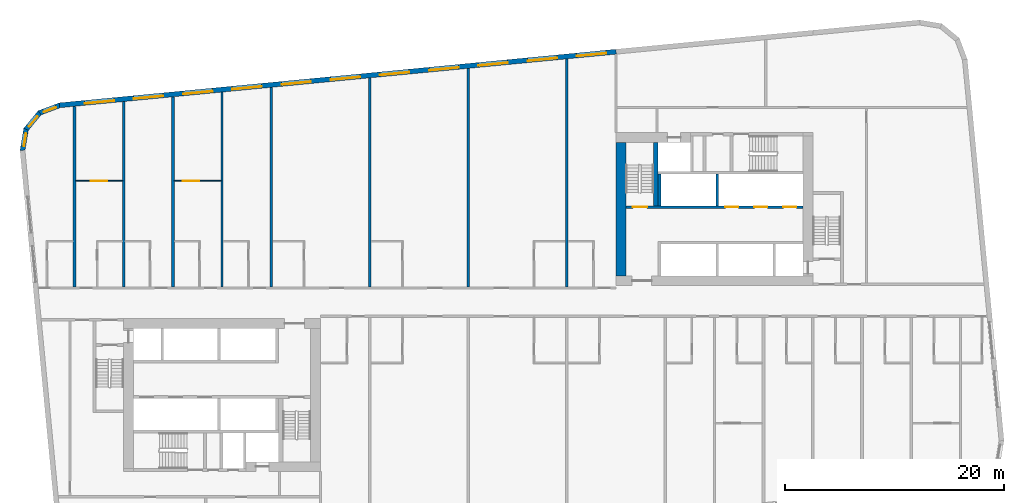
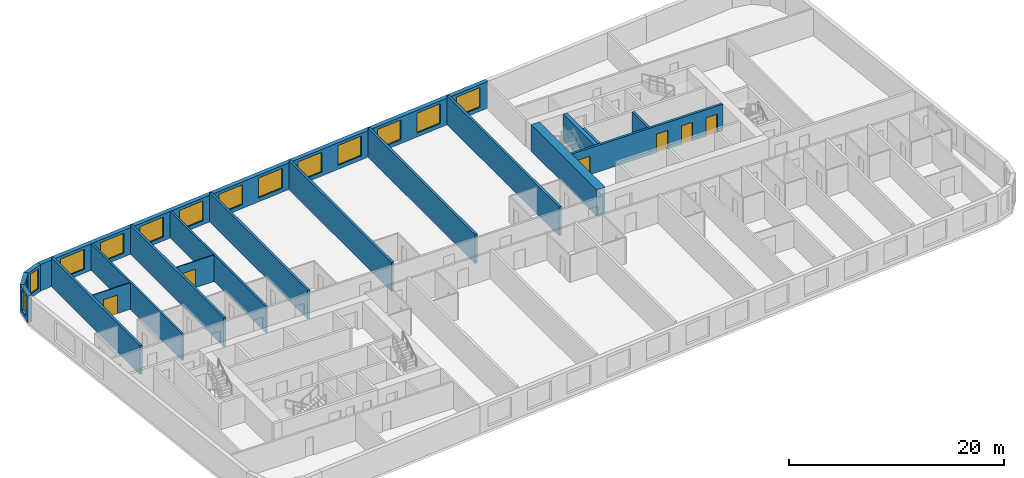
# One storey, part 6 of 12: 19 walls, 14 windows, 6 doors, 20 openings.
"""IFC4 building model written with IfcOpenShell, lengths in metres."""

from ifc_helpers import new_model, si_unit, direction, frame, frame_2d, origin, place, context, subcontext, project, spatial, polyline, rectangle, outline, extrude, material, layer, layer_set, type_object, element, fill, save


model = new_model("IFC4")

# Units and contexts
model_context = context("Model", 3, precision=1e-05, world=origin(), true_north=direction((0.0, 1.0)))
body_context = subcontext(model_context, "Body", "Model", "MODEL_VIEW")
ifc_project = project(units=[si_unit("LENGTHUNIT", "METRE"), si_unit("AREAUNIT", "SQUARE_METRE"), si_unit("VOLUMEUNIT", "CUBIC_METRE"), si_unit("PLANEANGLEUNIT", "RADIAN"), si_unit("MASSUNIT", "GRAM", prefix="KILO")], contexts=[model_context])

# Site, building, storey
site_placement = place(None, origin())
site = spatial("IfcSite", under=ifc_project, at=site_placement, CompositionType="ELEMENT")
building_placement = place(site_placement, origin())
building = spatial("IfcBuilding", under=site, at=building_placement, Name="Kajstack Hotel Tower", CompositionType="ELEMENT")
storey_placement = place(building_placement, frame((0.0, 0.0, 124.0)))
storey = spatial("IfcBuildingStorey", under=building, at=storey_placement, Name="L27", CompositionType="ELEMENT", Elevation=124.0)

# Walls
ifc_material_1 = material(Name="Concrete C60/75", Category="concrete")
ifc_layer_1 = layer(ifc_material_1, 0.89990234375)
ifc_layer_set_1 = layer_set([ifc_layer_1], Name="Core wall 900")
wall_type_1 = type_object("IfcWallType", Name="Core wall 900", PredefinedType="SHEAR", material=ifc_layer_set_1)
wall_1_placement = place(storey_placement, frame((13.949951171875, 2.39990234375, 0.0), z_axis=(0.0, 0.0, 1.0), x_axis=(0.0, 1.0, 0.0)))
element("IfcWall", 1, at=wall_1_placement, inside=storey, type_object=wall_type_1, Name="Core wall E RE", PredefinedType="SHEAR", context=body_context, shape_type="SweptSolid", body=[
    extrude(rectangle(XDim=12.2001953125, YDim=0.89990234375, at=frame_2d((6.10009765625, 0.0))), origin(), (0.0, 0.0, 1.0), 3.02001953125),
])
ifc_material_2 = material(Name="Twin-frame gypsum board on steel studs, mineral wool", Category="steel")
ifc_layer_2 = layer(ifc_material_2, 0.199951171875)
ifc_layer_set_2 = layer_set([ifc_layer_2], Name="Demising wall 200")
wall_type_2 = type_object("IfcWallType", Name="Demising wall 200", PredefinedType="PARTITIONING", material=ifc_layer_set_2)
wall_2_placement = place(storey_placement, frame((-31.5, 1.39990234375, 0.0), z_axis=(0.0, 0.0, 1.0), x_axis=(0.0, 1.0, 0.0)))
element("IfcWall", 2, at=wall_2_placement, inside=storey, type_object=wall_type_2, Name="G-wall-L27-006", PredefinedType="PARTITIONING", context=body_context, shape_type="SweptSolid", body=[
    extrude(rectangle(XDim=16.92919921875, YDim=0.199951171875, at=frame_2d((8.464599609375, 0.0))), origin(), (0.0, 0.0, 1.0), 3.02001953125),
])
wall_3_placement = place(storey_placement, frame((-22.5, 1.39990234375, 0.0), z_axis=(0.0, 0.0, 1.0), x_axis=(0.0, 1.0, 0.0)))
element("IfcWall", 3, at=wall_3_placement, inside=storey, type_object=wall_type_2, Name="G-wall-L27-012", PredefinedType="PARTITIONING", context=body_context, shape_type="SweptSolid", body=[
    extrude(rectangle(XDim=17.796142578125, YDim=0.199951171875, at=frame_2d((8.89794921875, 0.0))), origin(), (0.0, 0.0, 1.0), 3.02001953125),
])

# Wall, openings, windows
ifc_material_3 = material(Name="Terracotta-faced brick masonry", Category="masonry")
ifc_layer_3 = layer(ifc_material_3, 0.449951171875)
ifc_layer_set_3 = layer_set([ifc_layer_3], Name="EW-TERRA")
wall_type_3 = type_object("IfcWallType", Name="EW-TERRA", PredefinedType="SOLIDWALL", material=ifc_layer_set_3)
wall_4_placement = place(storey_placement, frame((13.521484375, 22.89013671875, 0.0), z_axis=(0.0, 0.0, 1.0), x_axis=(-0.995396445054, -0.095843190545, 0.0)))
wall_4 = element("IfcWall", 4, at=wall_4_placement, inside=storey, type_object=wall_type_3, Name="E-wall-L27-12-02", PredefinedType="SOLIDWALL", context=body_context, shape_type="SweptSolid", body=[
    extrude(rectangle(XDim=51.114013671875, YDim=0.449951171875, at=frame_2d((25.55712890625, 0.0))), origin(), (0.0, 0.0, 1.0), 3.02001953125),
])
opening_1_placement = place(wall_4_placement, frame((0.910400390625, 0.0, 0.449951171875)))
opening_1 = element("IfcOpeningElement", 5, at=opening_1_placement, cuts=wall_4, Name="Opening W1", PredefinedType="OPENING", context=body_context, shape_type="SweptSolid", body=[
    extrude(rectangle(XDim=2.699951171875, YDim=2.25, at=frame_2d((1.35009765625, 1.125))), frame((0.0, 0.23486328125, 0.0), z_axis=(0.0, -1.0, 0.0), x_axis=(1.0, 0.0, 0.0)), (0.0, 0.0, 1.0), 0.469970703125),
])
opening_2_placement = place(wall_4_placement, frame((5.43115234375, 0.0, 0.449951171875)))
opening_2 = element("IfcOpeningElement", 6, at=opening_2_placement, cuts=wall_4, Name="Opening W1", PredefinedType="OPENING", context=body_context, shape_type="SweptSolid", body=[
    extrude(rectangle(XDim=2.699951171875, YDim=2.25, at=frame_2d((1.35009765625, 1.125))), frame((0.0, 0.23486328125, 0.0), z_axis=(0.0, -1.0, 0.0), x_axis=(1.0, 0.0, 0.0)), (0.0, 0.0, 1.0), 0.469970703125),
])
opening_3_placement = place(wall_4_placement, frame((9.951904296875, 0.0, 0.449951171875)))
opening_3 = element("IfcOpeningElement", 7, at=opening_3_placement, cuts=wall_4, Name="Opening W1", PredefinedType="OPENING", context=body_context, shape_type="SweptSolid", body=[
    extrude(rectangle(XDim=2.699951171875, YDim=2.25, at=frame_2d((1.35009765625, 1.125))), frame((0.0, 0.23486328125, 0.0), z_axis=(0.0, -1.0, 0.0), x_axis=(1.0, 0.0, 0.0)), (0.0, 0.0, 1.0), 0.469970703125),
])
opening_4_placement = place(wall_4_placement, frame((14.472900390625, 0.0, 0.449951171875)))
opening_4 = element("IfcOpeningElement", 8, at=opening_4_placement, cuts=wall_4, Name="Opening W1", PredefinedType="OPENING", context=body_context, shape_type="SweptSolid", body=[
    extrude(rectangle(XDim=2.699951171875, YDim=2.25, at=frame_2d((1.35009765625, 1.125))), frame((0.0, 0.23486328125, 0.0), z_axis=(0.0, -1.0, 0.0), x_axis=(1.0, 0.0, 0.0)), (0.0, 0.0, 1.0), 0.469970703125),
])
opening_5_placement = place(wall_4_placement, frame((18.99365234375, 0.0, 0.449951171875)))
opening_5 = element("IfcOpeningElement", 9, at=opening_5_placement, cuts=wall_4, Name="Opening W1", PredefinedType="OPENING", context=body_context, shape_type="SweptSolid", body=[
    extrude(rectangle(XDim=2.699951171875, YDim=2.25, at=frame_2d((1.35009765625, 1.125))), frame((0.0, 0.23486328125, 0.0), z_axis=(0.0, -1.0, 0.0), x_axis=(1.0, 0.0, 0.0)), (0.0, 0.0, 1.0), 0.469970703125),
])
opening_6_placement = place(wall_4_placement, frame((23.514404296875, 0.0, 0.449951171875)))
opening_6 = element("IfcOpeningElement", 10, at=opening_6_placement, cuts=wall_4, Name="Opening W1", PredefinedType="OPENING", context=body_context, shape_type="SweptSolid", body=[
    extrude(rectangle(XDim=2.699951171875, YDim=2.25, at=frame_2d((1.35009765625, 1.125))), frame((0.0, 0.23486328125, 0.0), z_axis=(0.0, -1.0, 0.0), x_axis=(1.0, 0.0, 0.0)), (0.0, 0.0, 1.0), 0.469970703125),
])
opening_7_placement = place(wall_4_placement, frame((28.035400390625, 0.0, 0.449951171875)))
opening_7 = element("IfcOpeningElement", 11, at=opening_7_placement, cuts=wall_4, Name="Opening W1", PredefinedType="OPENING", context=body_context, shape_type="SweptSolid", body=[
    extrude(rectangle(XDim=2.699951171875, YDim=2.25, at=frame_2d((1.35009765625, 1.125))), frame((0.0, 0.23486328125, 0.0), z_axis=(0.0, -1.0, 0.0), x_axis=(1.0, 0.0, 0.0)), (0.0, 0.0, 1.0), 0.469970703125),
])
opening_8_placement = place(wall_4_placement, frame((32.55615234375, 0.0, 0.449951171875)))
opening_8 = element("IfcOpeningElement", 12, at=opening_8_placement, cuts=wall_4, Name="Opening W1", PredefinedType="OPENING", context=body_context, shape_type="SweptSolid", body=[
    extrude(rectangle(XDim=2.699951171875, YDim=2.25, at=frame_2d((1.35009765625, 1.125))), frame((0.0, 0.23486328125, 0.0), z_axis=(0.0, -1.0, 0.0), x_axis=(1.0, 0.0, 0.0)), (0.0, 0.0, 1.0), 0.469970703125),
])
opening_9_placement = place(wall_4_placement, frame((37.076904296875, 0.0, 0.449951171875)))
opening_9 = element("IfcOpeningElement", 13, at=opening_9_placement, cuts=wall_4, Name="Opening W1", PredefinedType="OPENING", context=body_context, shape_type="SweptSolid", body=[
    extrude(rectangle(XDim=2.699951171875, YDim=2.25, at=frame_2d((1.35009765625, 1.125))), frame((0.0, 0.23486328125, 0.0), z_axis=(0.0, -1.0, 0.0), x_axis=(1.0, 0.0, 0.0)), (0.0, 0.0, 1.0), 0.469970703125),
])
opening_10_placement = place(wall_4_placement, frame((41.59765625, 0.0, 0.449951171875)))
opening_10 = element("IfcOpeningElement", 14, at=opening_10_placement, cuts=wall_4, Name="Opening W1", PredefinedType="OPENING", context=body_context, shape_type="SweptSolid", body=[
    extrude(rectangle(XDim=2.699951171875, YDim=2.25, at=frame_2d((1.35009765625, 1.125))), frame((0.0, 0.23486328125, 0.0), z_axis=(0.0, -1.0, 0.0), x_axis=(1.0, 0.0, 0.0)), (0.0, 0.0, 1.0), 0.469970703125),
])
opening_11_placement = place(wall_4_placement, frame((46.118408203125, 0.0, 0.449951171875)))
opening_11 = element("IfcOpeningElement", 15, at=opening_11_placement, cuts=wall_4, Name="Opening W1", PredefinedType="OPENING", context=body_context, shape_type="SweptSolid", body=[
    extrude(rectangle(XDim=2.699951171875, YDim=2.25, at=frame_2d((1.35009765625, 1.125))), frame((0.0, 0.23486328125, 0.0), z_axis=(0.0, -1.0, 0.0), x_axis=(1.0, 0.0, 0.0)), (0.0, 0.0, 1.0), 0.469970703125),
])
ifc_material_4 = material(Name="Timber-aluminium window, triple glazed", Category="wood")
window_type_1 = type_object("IfcWindowType", Name="WG1", PartitioningType="SINGLE_PANEL", PredefinedType="WINDOW", material=ifc_material_4)
window_1_placement = place(opening_1_placement, origin())
window_1 = element("IfcWindow", 16, at=window_1_placement, inside=storey, type_object=window_type_1, Name="Window W1 L27-12", OverallHeight=2.25, OverallWidth=2.699951171875, PartitioningType="SINGLE_PANEL", PredefinedType="WINDOW", context=body_context, shape_type="SweptSolid", body=[
    extrude(rectangle(XDim=2.699951171875, YDim=2.25, at=frame_2d((1.35009765625, 1.125))), frame((0.0, 0.090087890625, 0.0), z_axis=(0.0, -1.0, 0.0), x_axis=(1.0, 0.0, 0.0)), (0.0, 0.0, 1.0), 0.06005859375),
])
fill(opening_1, window_1)
window_2_placement = place(opening_2_placement, origin())
window_2 = element("IfcWindow", 17, at=window_2_placement, inside=storey, type_object=window_type_1, Name="Window W1 L27-12", OverallHeight=2.25, OverallWidth=2.699951171875, PartitioningType="SINGLE_PANEL", PredefinedType="WINDOW", context=body_context, shape_type="SweptSolid", body=[
    extrude(rectangle(XDim=2.699951171875, YDim=2.25, at=frame_2d((1.35009765625, 1.125))), frame((0.0, 0.090087890625, 0.0), z_axis=(0.0, -1.0, 0.0), x_axis=(1.0, 0.0, 0.0)), (0.0, 0.0, 1.0), 0.06005859375),
])
fill(opening_2, window_2)
window_3_placement = place(opening_3_placement, origin())
window_3 = element("IfcWindow", 18, at=window_3_placement, inside=storey, type_object=window_type_1, Name="Window W1 L27-12", OverallHeight=2.25, OverallWidth=2.699951171875, PartitioningType="SINGLE_PANEL", PredefinedType="WINDOW", context=body_context, shape_type="SweptSolid", body=[
    extrude(rectangle(XDim=2.699951171875, YDim=2.25, at=frame_2d((1.35009765625, 1.125))), frame((0.0, 0.090087890625, 0.0), z_axis=(0.0, -1.0, 0.0), x_axis=(1.0, 0.0, 0.0)), (0.0, 0.0, 1.0), 0.06005859375),
])
fill(opening_3, window_3)
window_4_placement = place(opening_4_placement, origin())
window_4 = element("IfcWindow", 19, at=window_4_placement, inside=storey, type_object=window_type_1, Name="Window W1 L27-12", OverallHeight=2.25, OverallWidth=2.699951171875, PartitioningType="SINGLE_PANEL", PredefinedType="WINDOW", context=body_context, shape_type="SweptSolid", body=[
    extrude(rectangle(XDim=2.699951171875, YDim=2.25, at=frame_2d((1.35009765625, 1.125))), frame((0.0, 0.090087890625, 0.0), z_axis=(0.0, -1.0, 0.0), x_axis=(1.0, 0.0, 0.0)), (0.0, 0.0, 1.0), 0.06005859375),
])
fill(opening_4, window_4)
window_5_placement = place(opening_5_placement, origin())
window_5 = element("IfcWindow", 20, at=window_5_placement, inside=storey, type_object=window_type_1, Name="Window W1 L27-12", OverallHeight=2.25, OverallWidth=2.699951171875, PartitioningType="SINGLE_PANEL", PredefinedType="WINDOW", context=body_context, shape_type="SweptSolid", body=[
    extrude(rectangle(XDim=2.699951171875, YDim=2.25, at=frame_2d((1.35009765625, 1.125))), frame((0.0, 0.090087890625, 0.0), z_axis=(0.0, -1.0, 0.0), x_axis=(1.0, 0.0, 0.0)), (0.0, 0.0, 1.0), 0.06005859375),
])
fill(opening_5, window_5)
window_6_placement = place(opening_6_placement, origin())
window_6 = element("IfcWindow", 21, at=window_6_placement, inside=storey, type_object=window_type_1, Name="Window W1 L27-12", OverallHeight=2.25, OverallWidth=2.699951171875, PartitioningType="SINGLE_PANEL", PredefinedType="WINDOW", context=body_context, shape_type="SweptSolid", body=[
    extrude(rectangle(XDim=2.699951171875, YDim=2.25, at=frame_2d((1.35009765625, 1.125))), frame((0.0, 0.090087890625, 0.0), z_axis=(0.0, -1.0, 0.0), x_axis=(1.0, 0.0, 0.0)), (0.0, 0.0, 1.0), 0.06005859375),
])
fill(opening_6, window_6)
window_7_placement = place(opening_7_placement, origin())
window_7 = element("IfcWindow", 22, at=window_7_placement, inside=storey, type_object=window_type_1, Name="Window W1 L27-12", OverallHeight=2.25, OverallWidth=2.699951171875, PartitioningType="SINGLE_PANEL", PredefinedType="WINDOW", context=body_context, shape_type="SweptSolid", body=[
    extrude(rectangle(XDim=2.699951171875, YDim=2.25, at=frame_2d((1.35009765625, 1.125))), frame((0.0, 0.090087890625, 0.0), z_axis=(0.0, -1.0, 0.0), x_axis=(1.0, 0.0, 0.0)), (0.0, 0.0, 1.0), 0.06005859375),
])
fill(opening_7, window_7)
window_8_placement = place(opening_8_placement, origin())
window_8 = element("IfcWindow", 23, at=window_8_placement, inside=storey, type_object=window_type_1, Name="Window W1 L27-12", OverallHeight=2.25, OverallWidth=2.699951171875, PartitioningType="SINGLE_PANEL", PredefinedType="WINDOW", context=body_context, shape_type="SweptSolid", body=[
    extrude(rectangle(XDim=2.699951171875, YDim=2.25, at=frame_2d((1.35009765625, 1.125))), frame((0.0, 0.090087890625, 0.0), z_axis=(0.0, -1.0, 0.0), x_axis=(1.0, 0.0, 0.0)), (0.0, 0.0, 1.0), 0.06005859375),
])
fill(opening_8, window_8)
window_9_placement = place(opening_9_placement, origin())
window_9 = element("IfcWindow", 24, at=window_9_placement, inside=storey, type_object=window_type_1, Name="Window W1 L27-12", OverallHeight=2.25, OverallWidth=2.699951171875, PartitioningType="SINGLE_PANEL", PredefinedType="WINDOW", context=body_context, shape_type="SweptSolid", body=[
    extrude(rectangle(XDim=2.699951171875, YDim=2.25, at=frame_2d((1.35009765625, 1.125))), frame((0.0, 0.090087890625, 0.0), z_axis=(0.0, -1.0, 0.0), x_axis=(1.0, 0.0, 0.0)), (0.0, 0.0, 1.0), 0.06005859375),
])
fill(opening_9, window_9)
window_10_placement = place(opening_10_placement, origin())
window_10 = element("IfcWindow", 25, at=window_10_placement, inside=storey, type_object=window_type_1, Name="Window W1 L27-12", OverallHeight=2.25, OverallWidth=2.699951171875, PartitioningType="SINGLE_PANEL", PredefinedType="WINDOW", context=body_context, shape_type="SweptSolid", body=[
    extrude(rectangle(XDim=2.699951171875, YDim=2.25, at=frame_2d((1.35009765625, 1.125))), frame((0.0, 0.090087890625, 0.0), z_axis=(0.0, -1.0, 0.0), x_axis=(1.0, 0.0, 0.0)), (0.0, 0.0, 1.0), 0.06005859375),
])
fill(opening_10, window_10)
window_11_placement = place(opening_11_placement, origin())
window_11 = element("IfcWindow", 26, at=window_11_placement, inside=storey, type_object=window_type_1, Name="Window W1 L27-12", OverallHeight=2.25, OverallWidth=2.699951171875, PartitioningType="SINGLE_PANEL", PredefinedType="WINDOW", context=body_context, shape_type="SweptSolid", body=[
    extrude(rectangle(XDim=2.699951171875, YDim=2.25, at=frame_2d((1.35009765625, 1.125))), frame((0.0, 0.090087890625, 0.0), z_axis=(0.0, -1.0, 0.0), x_axis=(1.0, 0.0, 0.0)), (0.0, 0.0, 1.0), 0.06005859375),
])
fill(opening_11, window_11)

# Wall, opening, window
wall_5_placement = place(storey_placement, frame((-37.300048828125, 18.00439453125, 0.0), z_axis=(0.0, 0.0, 1.0), x_axis=(-0.936677599948, -0.350192909346, 0.0)))
wall_5 = element("IfcWall", 27, at=wall_5_placement, inside=storey, type_object=wall_type_3, Name="E-wall-L27-13-00", PredefinedType="SOLIDWALL", context=body_context, shape_type="SweptSolid", body=[
    extrude(outline(polyline([(0.0, -0.224853515625), (2.070556640625, -0.224853515625), (1.949951171875, 0.22509765625), (0.12060546875, 0.22509765625), (0.0, -0.224853515625)])), origin(), (0.0, 0.0, 1.0), 3.02001953125),
])
opening_12_placement = place(wall_5_placement, frame((0.435302734375, 0.0, 0.449951171875)))
opening_12 = element("IfcOpeningElement", 28, at=opening_12_placement, cuts=wall_5, Name="Opening W3", PredefinedType="OPENING", context=body_context, shape_type="SweptSolid", body=[
    extrude(rectangle(XDim=1.199951171875, YDim=2.25, at=frame_2d((0.60009765625, 1.125))), frame((0.0, 0.23486328125, 0.0), z_axis=(0.0, -1.0, 0.0), x_axis=(1.0, 0.0, 0.0)), (0.0, 0.0, 1.0), 0.469970703125),
])
window_type_2 = type_object("IfcWindowType", Name="WG3", PartitioningType="SINGLE_PANEL", PredefinedType="WINDOW", material=ifc_material_4)
window_12_placement = place(opening_12_placement, origin())
window_12 = element("IfcWindow", 29, at=window_12_placement, inside=storey, type_object=window_type_2, Name="Window W3 L27-13", OverallHeight=2.25, OverallWidth=1.199951171875, PartitioningType="SINGLE_PANEL", PredefinedType="WINDOW", context=body_context, shape_type="SweptSolid", body=[
    extrude(rectangle(XDim=1.199951171875, YDim=2.25, at=frame_2d((0.60009765625, 1.125))), frame((0.0, 0.090087890625, 0.0), z_axis=(0.0, -1.0, 0.0), x_axis=(1.0, 0.0, 0.0)), (0.0, 0.0, 1.0), 0.06005859375),
])
fill(opening_12, window_12)

wall_6_placement = place(storey_placement, frame((-39.144775390625, 17.346923828125, 0.0), z_axis=(0.0, 0.0, 1.0), x_axis=(-0.636046112757, -0.771651049663, 0.0)))
wall_6 = element("IfcWall", 30, at=wall_6_placement, inside=storey, type_object=wall_type_3, Name="E-wall-L27-14-00", PredefinedType="SOLIDWALL", context=body_context, shape_type="SweptSolid", body=[
    extrude(outline(polyline([(0.0, -0.224853515625), (2.070556640625, -0.224853515625), (1.949951171875, 0.22509765625), (0.12060546875, 0.22509765625), (0.0, -0.224853515625)])), origin(), (0.0, 0.0, 1.0), 3.02001953125),
])
opening_13_placement = place(wall_6_placement, frame((0.435302734375, 0.0, 0.449951171875)))
opening_13 = element("IfcOpeningElement", 31, at=opening_13_placement, cuts=wall_6, Name="Opening W3", PredefinedType="OPENING", context=body_context, shape_type="SweptSolid", body=[
    extrude(rectangle(XDim=1.199951171875, YDim=2.25, at=frame_2d((0.60009765625, 1.125))), frame((0.0, 0.23486328125, 0.0), z_axis=(0.0, -1.0, 0.0), x_axis=(1.0, 0.0, 0.0)), (0.0, 0.0, 1.0), 0.469970703125),
])
window_13_placement = place(opening_13_placement, origin())
window_13 = element("IfcWindow", 32, at=window_13_placement, inside=storey, type_object=window_type_2, Name="Window W3 L27-14", OverallHeight=2.25, OverallWidth=1.199951171875, PartitioningType="SINGLE_PANEL", PredefinedType="WINDOW", context=body_context, shape_type="SweptSolid", body=[
    extrude(rectangle(XDim=1.199951171875, YDim=2.25, at=frame_2d((0.60009765625, 1.125))), frame((0.0, 0.090087890625, 0.0), z_axis=(0.0, -1.0, 0.0), x_axis=(1.0, 0.0, 0.0)), (0.0, 0.0, 1.0), 0.06005859375),
])
fill(opening_13, window_13)

wall_7_placement = place(storey_placement, frame((-40.413330078125, 15.855224609375, 0.0), z_axis=(0.0, 0.0, 1.0), x_axis=(-0.165068144653, -0.986282164302, 0.0)))
wall_7 = element("IfcWall", 33, at=wall_7_placement, inside=storey, type_object=wall_type_3, Name="E-wall-L27-15-00", PredefinedType="SOLIDWALL", context=body_context, shape_type="SweptSolid", body=[
    extrude(outline(polyline([(0.0, -0.22509765625), (2.070556640625, -0.224853515625), (1.9501953125, 0.22509765625), (0.12060546875, 0.224853515625), (0.0, -0.22509765625)])), origin(), (0.0, 0.0, 1.0), 3.02001953125),
])
opening_14_placement = place(wall_7_placement, frame((0.435302734375, 0.0, 0.449951171875)))
opening_14 = element("IfcOpeningElement", 34, at=opening_14_placement, cuts=wall_7, Name="Opening W3", PredefinedType="OPENING", context=body_context, shape_type="SweptSolid", body=[
    extrude(rectangle(XDim=1.199951171875, YDim=2.25, at=frame_2d((0.60009765625, 1.125))), frame((0.0, 0.23486328125, 0.0), z_axis=(0.0, -1.0, 0.0), x_axis=(1.0, 0.0, 0.0)), (0.0, 0.0, 1.0), 0.469970703125),
])
window_14_placement = place(opening_14_placement, origin())
window_14 = element("IfcWindow", 35, at=window_14_placement, inside=storey, type_object=window_type_2, Name="Window W3 L27-15", OverallHeight=2.25, OverallWidth=1.199951171875, PartitioningType="SINGLE_PANEL", PredefinedType="WINDOW", context=body_context, shape_type="SweptSolid", body=[
    extrude(rectangle(XDim=1.199951171875, YDim=2.25, at=frame_2d((0.60009765625, 1.125))), frame((0.0, 0.090087890625, 0.0), z_axis=(0.0, -1.0, 0.0), x_axis=(1.0, 0.0, 0.0)), (0.0, 0.0, 1.0), 0.06005859375),
])
fill(opening_14, window_14)

# Wall
ifc_material_5 = material(Name="Concrete C50/60", Category="concrete")
ifc_layer_4 = layer(ifc_material_5, 0.300048828125)
ifc_layer_set_4 = layer_set([ifc_layer_4], Name="Hoistway divider wall 300")
wall_type_4 = type_object("IfcWallType", Name="Hoistway divider wall 300", PredefinedType="SHEAR", material=ifc_layer_set_4)
wall_8_placement = place(storey_placement, frame((22.77490234375, 8.800048828125, 0.0), z_axis=(0.0, 0.0, 1.0), x_axis=(0.0, 1.0, 0.0)))
element("IfcWall", 36, at=wall_8_placement, inside=storey, type_object=wall_type_4, Name="Core wall E BP2", PredefinedType="SHEAR", context=body_context, shape_type="SweptSolid", body=[
    extrude(rectangle(XDim=2.89990234375, YDim=0.25, at=frame_2d((1.449951171875, 0.0))), origin(), (0.0, 0.0, 1.0), 3.02001953125),
])

# Wall, opening, door
ifc_material_6 = material(Name="Gypsum board on steel studs", Category="steel")
ifc_layer_5 = layer(ifc_material_6, 0.10009765625)
ifc_layer_set_5 = layer_set([ifc_layer_5], Name="Partition 100")
wall_type_5 = type_object("IfcWallType", Name="Partition 100", PredefinedType="PARTITIONING", material=ifc_layer_set_5)
wall_9_placement = place(storey_placement, frame((-35.875, 11.074951171875, 0.0), z_axis=(0.0, 0.0, 1.0), x_axis=(1.0, 0.0, 0.0)))
wall_9 = element("IfcWall", 37, at=wall_9_placement, inside=storey, type_object=wall_type_5, Name="G-wall-L27-009", PredefinedType="PARTITIONING", context=body_context, shape_type="SweptSolid", body=[
    extrude(rectangle(XDim=4.27490234375, YDim=0.10009765625, at=frame_2d((2.137451171875, 0.0))), origin(), (0.0, 0.0, 1.0), 3.02001953125),
])
opening_15_placement = place(wall_9_placement, frame((1.387939453125, 0.0, 0.0)))
opening_15 = element("IfcOpeningElement", 38, at=opening_15_placement, cuts=wall_9, Name="Opening 27005", PredefinedType="OPENING", context=body_context, shape_type="SweptSolid", body=[
    extrude(rectangle(XDim=1.5, YDim=2.10009765625, at=frame_2d((0.75, 1.050048828125))), frame((0.0, 0.06005859375, 0.0), z_axis=(0.0, -1.0, 0.0), x_axis=(1.0, 0.0, 0.0)), (0.0, 0.0, 1.0), 0.1201171875),
])
ifc_material_7 = material(Name="Painted timber door leaves, glazed panels", Category="wood")
door_type_1 = type_object("IfcDoorType", Name="Double door 1500", OperationType="SINGLE_SWING_LEFT", PredefinedType="DOOR", material=ifc_material_7)
door_1_placement = place(opening_15_placement, origin())
door_1 = element("IfcDoor", 39, at=door_1_placement, inside=storey, type_object=door_type_1, Name="G-door-L27-05", OperationType="SINGLE_SWING_LEFT", OverallHeight=2.10009765625, OverallWidth=1.5, PredefinedType="DOOR", context=body_context, shape_type="SweptSolid", body=[
    extrude(rectangle(XDim=1.5, YDim=2.10009765625, at=frame_2d((0.75, 1.050048828125))), frame((0.0, 0.02490234375, 0.0), z_axis=(0.0, -1.0, 0.0), x_axis=(1.0, 0.0, 0.0)), (0.0, 0.0, 1.0), 0.050048828125),
])
fill(opening_15, door_1)

wall_10_placement = place(storey_placement, frame((-26.875, 11.074951171875, 0.0), z_axis=(0.0, 0.0, 1.0), x_axis=(1.0, 0.0, 0.0)))
wall_10 = element("IfcWall", 40, at=wall_10_placement, inside=storey, type_object=wall_type_5, Name="G-wall-L27-015", PredefinedType="PARTITIONING", context=body_context, shape_type="SweptSolid", body=[
    extrude(rectangle(XDim=4.27490234375, YDim=0.10009765625, at=frame_2d((2.137451171875, 0.0))), origin(), (0.0, 0.0, 1.0), 3.02001953125),
])
opening_16_placement = place(wall_10_placement, frame((0.787109375, 0.0, 0.0)))
opening_16 = element("IfcOpeningElement", 41, at=opening_16_placement, cuts=wall_10, Name="Opening 27010", PredefinedType="OPENING", context=body_context, shape_type="SweptSolid", body=[
    extrude(rectangle(XDim=1.5, YDim=2.10009765625, at=frame_2d((0.75, 1.050048828125))), frame((0.0, 0.06005859375, 0.0), z_axis=(0.0, -1.0, 0.0), x_axis=(1.0, 0.0, 0.0)), (0.0, 0.0, 1.0), 0.1201171875),
])
door_2_placement = place(opening_16_placement, origin())
door_2 = element("IfcDoor", 42, at=door_2_placement, inside=storey, type_object=door_type_1, Name="G-door-L27-10", OperationType="SINGLE_SWING_LEFT", OverallHeight=2.10009765625, OverallWidth=1.5, PredefinedType="DOOR", context=body_context, shape_type="SweptSolid", body=[
    extrude(rectangle(XDim=1.5, YDim=2.10009765625, at=frame_2d((0.75, 1.050048828125))), frame((0.0, 0.02490234375, 0.0), z_axis=(0.0, -1.0, 0.0), x_axis=(1.0, 0.0, 0.0)), (0.0, 0.0, 1.0), 0.050048828125),
])
fill(opening_16, door_2)

# Walls
ifc_material_8 = material(Name="Concrete C55/67", Category="concrete")
ifc_layer_6 = layer(ifc_material_8, 0.25)
ifc_layer_set_6 = layer_set([ifc_layer_6], Name="RC cross wall 250 C55/67")
wall_type_6 = type_object("IfcWallType", Name="RC cross wall 250 C55/67", PredefinedType="SHEAR", material=ifc_layer_set_6)
wall_11_placement = place(storey_placement, frame((-36.0, 1.39990234375, 0.0), z_axis=(0.0, 0.0, 1.0), x_axis=(0.0, 1.0, 0.0)))
element("IfcWall", 43, at=wall_11_placement, inside=storey, type_object=wall_type_6, Name="S-wall-L27-01", PredefinedType="SHEAR", context=body_context, shape_type="SweptSolid", body=[
    extrude(rectangle(XDim=16.473876953125, YDim=0.25, at=frame_2d((8.23681640625, 0.0))), origin(), (0.0, 0.0, 1.0), 3.300048828125),
])
wall_12_placement = place(storey_placement, frame((-27.0, 1.39990234375, 0.0), z_axis=(0.0, 0.0, 1.0), x_axis=(0.0, 1.0, 0.0)))
element("IfcWall", 44, at=wall_12_placement, inside=storey, type_object=wall_type_6, Name="S-wall-L27-02", PredefinedType="SHEAR", context=body_context, shape_type="SweptSolid", body=[
    extrude(rectangle(XDim=17.34033203125, YDim=0.25, at=frame_2d((8.670166015625, 0.0))), origin(), (0.0, 0.0, 1.0), 3.300048828125),
])
wall_13_placement = place(storey_placement, frame((-18.0, 1.39990234375, 0.0), z_axis=(0.0, 0.0, 1.0), x_axis=(0.0, 1.0, 0.0)))
element("IfcWall", 45, at=wall_13_placement, inside=storey, type_object=wall_type_6, Name="S-wall-L27-03", PredefinedType="SHEAR", context=body_context, shape_type="SweptSolid", body=[
    extrude(rectangle(XDim=18.20703125, YDim=0.25, at=frame_2d((9.103515625, 0.0))), origin(), (0.0, 0.0, 1.0), 3.300048828125),
])
wall_14_placement = place(storey_placement, frame((-9.0, 1.39990234375, 0.0), z_axis=(0.0, 0.0, 1.0), x_axis=(0.0, 1.0, 0.0)))
element("IfcWall", 46, at=wall_14_placement, inside=storey, type_object=wall_type_6, Name="S-wall-L27-05", PredefinedType="SHEAR", context=body_context, shape_type="SweptSolid", body=[
    extrude(rectangle(XDim=19.073486328125, YDim=0.25, at=frame_2d((9.53662109375, 0.0))), origin(), (0.0, 0.0, 1.0), 3.300048828125),
])
wall_15_placement = place(storey_placement, frame((0.0, 1.39990234375, 0.0), z_axis=(0.0, 0.0, 1.0), x_axis=(0.0, 1.0, 0.0)))
element("IfcWall", 47, at=wall_15_placement, inside=storey, type_object=wall_type_6, Name="S-wall-L27-07", PredefinedType="SHEAR", context=body_context, shape_type="SweptSolid", body=[
    extrude(rectangle(XDim=19.940185546875, YDim=0.25, at=frame_2d((9.97021484375, 0.0))), origin(), (0.0, 0.0, 1.0), 3.300048828125),
])
wall_16_placement = place(storey_placement, frame((9.0, 1.39990234375, 0.0), z_axis=(0.0, 0.0, 1.0), x_axis=(0.0, 1.0, 0.0)))
element("IfcWall", 48, at=wall_16_placement, inside=storey, type_object=wall_type_6, Name="S-wall-L27-09", PredefinedType="SHEAR", context=body_context, shape_type="SweptSolid", body=[
    extrude(rectangle(XDim=20.806884765625, YDim=0.25, at=frame_2d((10.4033203125, 0.0))), origin(), (0.0, 0.0, 1.0), 3.300048828125),
])

# Wall, openings, doors
ifc_layer_7 = layer(ifc_material_5, 0.25)
ifc_layer_set_7 = layer_set([ifc_layer_7], Name="Shaft wall 250")
wall_type_7 = type_object("IfcWallType", Name="Shaft wall 250", PredefinedType="SHEAR", material=ifc_layer_set_7)
wall_17_placement = place(storey_placement, frame((14.39990234375, 8.675048828125, 0.0), z_axis=(0.0, 0.0, 1.0), x_axis=(1.0, 0.0, 0.0)))
wall_17 = element("IfcWall", 49, at=wall_17_placement, inside=storey, type_object=wall_type_7, Name="Core wall E FB", PredefinedType="SHEAR", context=body_context, shape_type="SweptSolid", body=[
    extrude(rectangle(XDim=16.2001953125, YDim=0.25, at=frame_2d((8.10009765625, 0.0))), origin(), (0.0, 0.0, 1.0), 3.02001953125),
])
opening_17_placement = place(wall_17_placement, frame((14.39990234375, 0.0, 0.0)))
opening_17 = element("IfcOpeningElement", 50, at=opening_17_placement, cuts=wall_17, Name="Opening LD-LR4", PredefinedType="OPENING", context=body_context, shape_type="SweptSolid", body=[
    extrude(rectangle(XDim=1.199951171875, YDim=2.10009765625, at=frame_2d((0.60009765625, 1.050048828125))), frame((0.0, 0.135009765625, 0.0), z_axis=(0.0, -1.0, 0.0), x_axis=(1.0, 0.0, 0.0)), (0.0, 0.0, 1.0), 0.27001953125),
])
opening_18_placement = place(wall_17_placement, frame((11.75, 0.0, 0.0)))
opening_18 = element("IfcOpeningElement", 51, at=opening_18_placement, cuts=wall_17, Name="Opening LD-LR5", PredefinedType="OPENING", context=body_context, shape_type="SweptSolid", body=[
    extrude(rectangle(XDim=1.199951171875, YDim=2.10009765625, at=frame_2d((0.60009765625, 1.050048828125))), frame((0.0, 0.135009765625, 0.0), z_axis=(0.0, -1.0, 0.0), x_axis=(1.0, 0.0, 0.0)), (0.0, 0.0, 1.0), 0.27001953125),
])
opening_19_placement = place(wall_17_placement, frame((9.10009765625, 0.0, 0.0)))
opening_19 = element("IfcOpeningElement", 52, at=opening_19_placement, cuts=wall_17, Name="Opening LD-LR6", PredefinedType="OPENING", context=body_context, shape_type="SweptSolid", body=[
    extrude(rectangle(XDim=1.199951171875, YDim=2.10009765625, at=frame_2d((0.60009765625, 1.050048828125))), frame((0.0, 0.135009765625, 0.0), z_axis=(0.0, -1.0, 0.0), x_axis=(1.0, 0.0, 0.0)), (0.0, 0.0, 1.0), 0.27001953125),
])
opening_20_placement = place(wall_17_placement, frame((0.64990234375, 0.0, 0.0)))
opening_20 = element("IfcOpeningElement", 53, at=opening_20_placement, cuts=wall_17, Name="Opening 27E10", PredefinedType="OPENING", context=body_context, shape_type="SweptSolid", body=[
    extrude(rectangle(XDim=1.300048828125, YDim=2.10009765625, at=frame_2d((0.64990234375, 1.050048828125))), frame((0.0, 0.135009765625, 0.0), z_axis=(0.0, -1.0, 0.0), x_axis=(1.0, 0.0, 0.0)), (0.0, 0.0, 1.0), 0.27001953125),
])
ifc_material_9 = material(Name="Stainless steel", Category="steel")
door_type_2 = type_object("IfcDoorType", Name="Lift landing door 1200", OperationType="SLIDING_TO_LEFT", PredefinedType="DOOR", material=ifc_material_9)
door_3_placement = place(opening_17_placement, origin())
door_3 = element("IfcDoor", 54, at=door_3_placement, inside=storey, type_object=door_type_2, Name="Landing door LR4", OperationType="SLIDING_TO_LEFT", OverallHeight=2.10009765625, OverallWidth=1.199951171875, PredefinedType="DOOR", context=body_context, shape_type="SweptSolid", body=[
    extrude(rectangle(XDim=1.199951171875, YDim=2.10009765625, at=frame_2d((0.60009765625, 1.050048828125))), frame((0.0, 0.02490234375, 0.0), z_axis=(0.0, -1.0, 0.0), x_axis=(1.0, 0.0, 0.0)), (0.0, 0.0, 1.0), 0.050048828125),
])
fill(opening_17, door_3)
door_4_placement = place(opening_18_placement, origin())
door_4 = element("IfcDoor", 55, at=door_4_placement, inside=storey, type_object=door_type_2, Name="Landing door LR5", OperationType="SLIDING_TO_RIGHT", OverallHeight=2.10009765625, OverallWidth=1.199951171875, PredefinedType="DOOR", context=body_context, shape_type="SweptSolid", body=[
    extrude(rectangle(XDim=1.199951171875, YDim=2.10009765625, at=frame_2d((0.60009765625, 1.050048828125))), frame((0.0, 0.02490234375, 0.0), z_axis=(0.0, -1.0, 0.0), x_axis=(1.0, 0.0, 0.0)), (0.0, 0.0, 1.0), 0.050048828125),
])
fill(opening_18, door_4)
door_5_placement = place(opening_19_placement, origin())
door_5 = element("IfcDoor", 56, at=door_5_placement, inside=storey, type_object=door_type_2, Name="Landing door LR6", OperationType="SLIDING_TO_RIGHT", OverallHeight=2.10009765625, OverallWidth=1.199951171875, PredefinedType="DOOR", context=body_context, shape_type="SweptSolid", body=[
    extrude(rectangle(XDim=1.199951171875, YDim=2.10009765625, at=frame_2d((0.60009765625, 1.050048828125))), frame((0.0, 0.02490234375, 0.0), z_axis=(0.0, -1.0, 0.0), x_axis=(1.0, 0.0, 0.0)), (0.0, 0.0, 1.0), 0.050048828125),
])
fill(opening_19, door_5)
ifc_material_10 = material(Name="Steel leaf, fire-rated", Category="steel")
door_type_3 = type_object("IfcDoorType", Name="Stair door 1300", OperationType="SINGLE_SWING_LEFT", PredefinedType="DOOR", material=ifc_material_10)
door_6_placement = place(opening_20_placement, origin())
door_6 = element("IfcDoor", 57, at=door_6_placement, inside=storey, type_object=door_type_3, Name="Door 27E10", OperationType="SINGLE_SWING_LEFT", OverallHeight=2.10009765625, OverallWidth=1.300048828125, PredefinedType="DOOR", context=body_context, shape_type="SweptSolid", body=[
    extrude(rectangle(XDim=1.300048828125, YDim=2.10009765625, at=frame_2d((0.64990234375, 1.050048828125))), frame((0.0, 0.02490234375, 0.0), z_axis=(0.0, -1.0, 0.0), x_axis=(1.0, 0.0, 0.0)), (0.0, 0.0, 1.0), 0.050048828125),
])
fill(opening_20, door_6)

# Walls
wall_18_placement = place(storey_placement, frame((17.47509765625, 8.800048828125, 0.0), z_axis=(0.0, 0.0, 1.0), x_axis=(0.0, 1.0, 0.0)))
element("IfcWall", 58, at=wall_18_placement, inside=storey, type_object=wall_type_7, Name="Core wall E BE", PredefinedType="SHEAR", context=body_context, shape_type="SweptSolid", body=[
    extrude(rectangle(XDim=2.89990234375, YDim=0.25, at=frame_2d((1.449951171875, 0.0))), origin(), (0.0, 0.0, 1.0), 3.02001953125),
])
ifc_layer_8 = layer(ifc_material_5, 0.39990234375)
ifc_layer_set_8 = layer_set([ifc_layer_8], Name="Stair wall 400")
wall_type_8 = type_object("IfcWallType", Name="Stair wall 400", PredefinedType="SHEAR", material=ifc_layer_set_8)
wall_19_placement = place(storey_placement, frame((17.14990234375, 8.800048828125, 0.0), z_axis=(0.0, 0.0, 1.0), x_axis=(0.0, 1.0, 0.0)))
element("IfcWall", 59, at=wall_19_placement, inside=storey, type_object=wall_type_8, Name="Core wall E WW2", PredefinedType="SHEAR", context=body_context, shape_type="SweptSolid", body=[
    extrude(rectangle(XDim=5.800048828125, YDim=0.39990234375, at=frame_2d((2.89990234375, 0.0))), origin(), (0.0, 0.0, 1.0), 3.02001953125),
])

save(model, "model.ifc")
